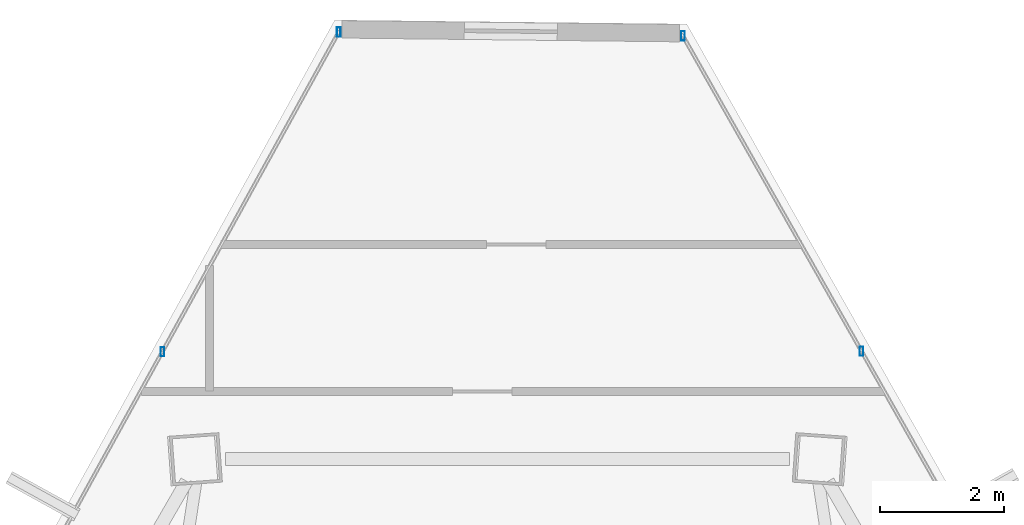
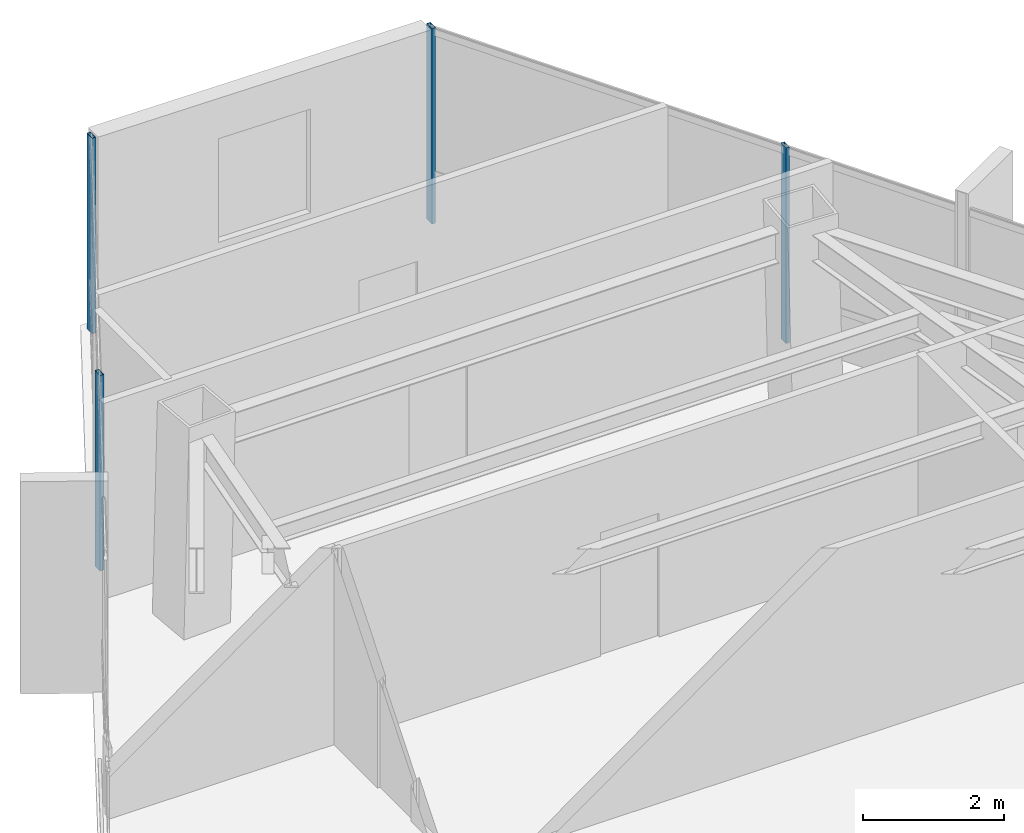
# One storey, part 31 of 42: 4 members, 2 elements without a shape of their own.
"""IFC4 building model written with IfcOpenShell, lengths in metres."""

from ifc_helpers import new_model, si_unit, direction, frame, origin, origin_2d, place, context, subcontext, project, spatial, hollow_rectangle, extrude, source, transform, mapped, material, material_profile, profile_set, type_object, type_shapes, element, aggregate, save


model = new_model("IFC4")

# Units and contexts
model_context = context("Model", 3, precision=1e-05, world=origin(), true_north=direction((0.0, 1.0)))
body_context = subcontext(model_context, "Body", "Model", "MODEL_VIEW")
ifc_project = project(units=[si_unit("LENGTHUNIT", "METRE"), si_unit("AREAUNIT", "SQUARE_METRE"), si_unit("VOLUMEUNIT", "CUBIC_METRE"), si_unit("PLANEANGLEUNIT", "RADIAN"), si_unit("MASSUNIT", "GRAM", prefix="KILO")], contexts=[model_context])

# Site, building, storey
site_placement = place(None, origin())
site = spatial("IfcSite", under=ifc_project, at=site_placement, CompositionType="ELEMENT")
building_placement = place(site_placement, origin())
building = spatial("IfcBuilding", under=site, at=building_placement, Name="Caelisora Broadcast Tower", CompositionType="ELEMENT")
storey_placement = place(building_placement, frame((0.0, 0.0, 205.949951171875)))
storey = spatial("IfcBuildingStorey", under=building, at=storey_placement, Name="L54", CompositionType="ELEMENT", Elevation=205.949951171875)

# Curtain wall, members
ifc_material_1 = material(Name="Unitised Aluminium and Low-E Glass Curtain Wall", Category="glass")
curtain_wall_type = type_object("IfcCurtainWallType", Name="CW-Z4", PredefinedType="NOTDEFINED", material=ifc_material_1)
curtain_wall_1_placement = place(storey_placement, origin())
curtain_wall_1 = element("IfcCurtainWall", 1, at=curtain_wall_1_placement, inside=storey, type_object=curtain_wall_type, Name="L54 curtain wall CW-Z4", PredefinedType="NOTDEFINED")
ifc_material_2 = material(Name="Aluminium 6063-T6 Anodised Terracotta Bronze", Category="aluminium")
ifc_material_profile = material_profile(ifc_material_2, hollow_rectangle(XDim=0.06005859375, YDim=0.14990234375, WallThickness=0.00341796875, at=origin_2d()), Name="Aluminium 6063-T6 Anodised Terracotta Bronze")
ifc_profile_set = profile_set([ifc_material_profile], Name="Aluminium 6063-T6 Anodised Terracotta Bronze")
member_type = type_object("IfcMemberType", Name="CWM-03", PredefinedType="MULLION", material=ifc_profile_set)
shared_shape = source(origin(), body_context, "Body", "SweptSolid", [
    extrude(hollow_rectangle(XDim=0.06005859375, YDim=0.14990234375, WallThickness=0.00341796875, at=origin_2d()), origin(), (0.0, 0.0, 1.0), 3.400146484375),
])
type_shapes(member_type, [shared_shape])
member_1_placement = place(storey_placement, frame((40.83056640625, 53.41357421875, 0.0), z_axis=(0.0, 0.0, 1.0), x_axis=(1.0, 0.0, 0.0)))
member_1 = element("IfcMember", 2, at=member_1_placement, type_object=member_type, Name="L54-CW-B01 mullion #0", PredefinedType="MULLION", context=body_context, shape_type="MappedRepresentation", body=[
    mapped(shared_shape, transform((0.0, 0.0, 0.0), scale=1.0)),
])
member_2_placement = place(storey_placement, frame((43.712158203125, 48.327880859375, 0.0), z_axis=(0.0, 0.0, 1.0), x_axis=(1.0, 0.0, 0.0)))
member_2 = element("IfcMember", 3, at=member_2_placement, type_object=member_type, Name="L54-CW-B01 mullion #1", PredefinedType="MULLION", context=body_context, shape_type="MappedRepresentation", body=[
    mapped(shared_shape, transform((0.0, 0.0, 0.0), scale=1.0)),
])
aggregate(curtain_wall_1, [member_1, member_2])

curtain_wall_2_placement = place(storey_placement, origin())
curtain_wall_2 = element("IfcCurtainWall", 4, at=curtain_wall_2_placement, inside=storey, type_object=curtain_wall_type, Name="L54 curtain wall CW-Z4", PredefinedType="NOTDEFINED")
member_3_placement = place(storey_placement, frame((32.4384765625, 48.321533203125, 0.0), z_axis=(0.0, 0.0, 1.0), x_axis=(1.0, 0.0, 0.0)))
member_3 = element("IfcMember", 5, at=member_3_placement, type_object=member_type, Name="L54-CW-B11 mullion #2", PredefinedType="MULLION", context=body_context, shape_type="MappedRepresentation", body=[
    mapped(shared_shape, transform((0.0, 0.0, 0.0), scale=1.0)),
])
member_4_placement = place(storey_placement, frame((35.28173828125, 53.47509765625, 0.0), z_axis=(0.0, 0.0, 1.0), x_axis=(1.0, 0.0, 0.0)))
member_4 = element("IfcMember", 6, at=member_4_placement, type_object=member_type, Name="L54-CW-B11 mullion #3", PredefinedType="MULLION", context=body_context, shape_type="MappedRepresentation", body=[
    mapped(shared_shape, transform((0.0, 0.0, 0.0), scale=1.0)),
])
aggregate(curtain_wall_2, [member_3, member_4])

save(model, "model.ifc")
